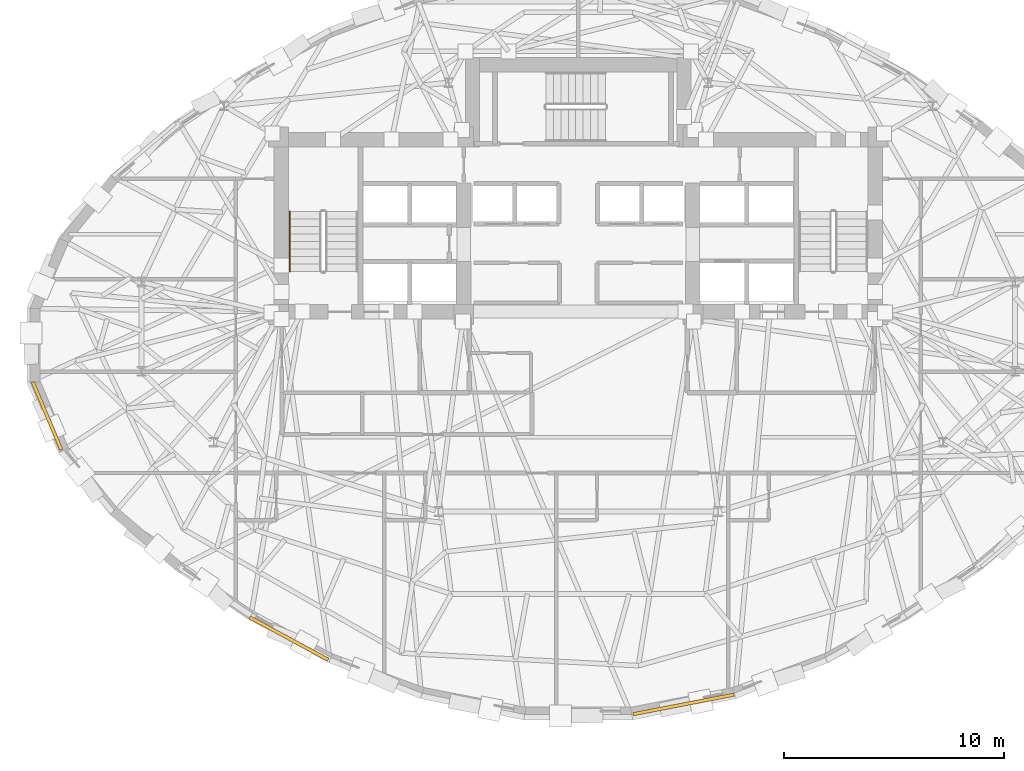
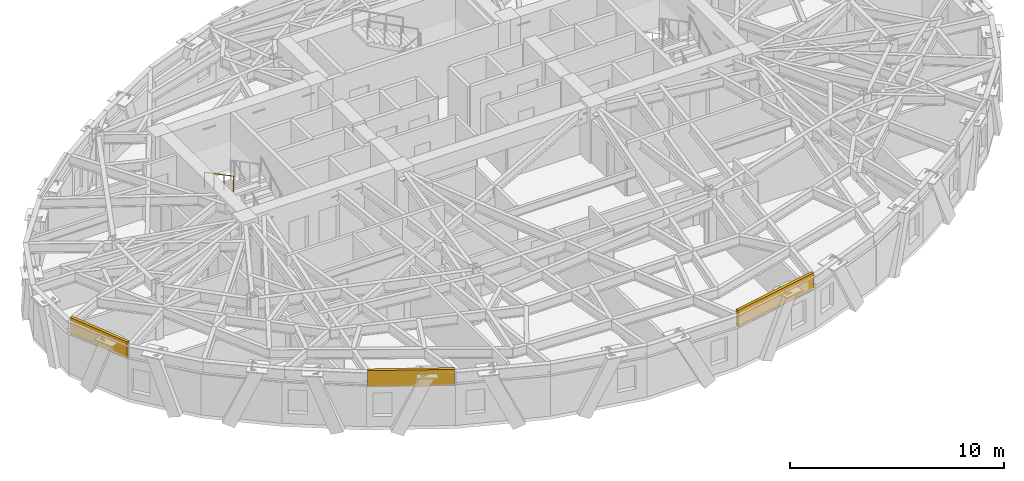
# One storey, part 11 of 14: 3 coverings, 1 railing.
"""IFC4 building model written with IfcOpenShell, lengths in metres."""

from ifc_helpers import new_model, si_unit, direction, frame, origin, origin_2d, place, context, subcontext, project, spatial, rectangle, circle, extrude, material, layer, layer_set, type_object, element, save


model = new_model("IFC4")

# Units and contexts
model_context = context("Model", 3, precision=1e-05, world=origin(), true_north=direction((0.0, 1.0)))
body_context = subcontext(model_context, "Body", "Model", "MODEL_VIEW")
ifc_project = project(units=[si_unit("LENGTHUNIT", "METRE"), si_unit("AREAUNIT", "SQUARE_METRE"), si_unit("VOLUMEUNIT", "CUBIC_METRE"), si_unit("PLANEANGLEUNIT", "RADIAN"), si_unit("MASSUNIT", "GRAM", prefix="KILO")], contexts=[model_context])

# Site, building, storey
site_placement = place(None, origin())
site = spatial("IfcSite", under=ifc_project, at=site_placement, CompositionType="ELEMENT")
building_placement = place(site_placement, origin())
building = spatial("IfcBuilding", under=site, at=building_placement, Name="Keldmark Tower", CompositionType="ELEMENT")
storey_placement = place(building_placement, frame((0.0, 0.0, 179.0)))
storey = spatial("IfcBuildingStorey", under=building, at=storey_placement, Name="L49", CompositionType="ELEMENT", Elevation=179.0)

# Coverings
ifc_material_1 = material(Name="Honed Kasota Buff Dolomitic Limestone", Category="masonry")
ifc_layer = layer(ifc_material_1, 0.074951171875)
ifc_layer_set = layer_set([ifc_layer], Name="Honed Kasota Buff Dolomitic Limestone")
covering_type = type_object("IfcCoveringType", Name="Kasota Buff Limestone Spandrel Cladding Band", PredefinedType="CLADDING", material=ifc_layer_set)
covering_1_placement = place(storey_placement, frame((-24.106689453125, -3.2080078125, 2.239013671875), z_axis=(0.0, 0.0, 1.0), x_axis=(0.388368166542, -0.921504295821, 0.0)))
element("IfcCovering", 1, at=covering_1_placement, inside=storey, type_object=covering_type, Name="L49 Kasota Limestone Spandrel Band 17", PredefinedType="CLADDING", context=body_context, shape_type="SweptSolid", body=[
    extrude(rectangle(XDim=3.330078125, YDim=0.14990234375, at=origin_2d()), origin(), (0.0, 0.0, 1.0), 0.94091796875),
])
covering_2_placement = place(storey_placement, frame((-13.136962890625, -13.30859375, 2.239013671875), z_axis=(0.0, 0.0, 1.0), x_axis=(0.879307998132, -0.47625355056, 0.0)))
element("IfcCovering", 2, at=covering_2_placement, inside=storey, type_object=covering_type, Name="L49 Kasota Limestone Spandrel Band 21", PredefinedType="CLADDING", context=body_context, shape_type="SweptSolid", body=[
    extrude(rectangle(XDim=4.05517578125, YDim=0.14990234375, at=origin_2d()), origin(), (0.0, 0.0, 1.0), 0.94091796875),
])
covering_3_placement = place(storey_placement, frame((4.7744140625, -16.302978515625, 2.239013671875), z_axis=(0.0, 0.0, 1.0), x_axis=(0.981756835596, 0.190140778796, 0.0)))
element("IfcCovering", 3, at=covering_3_placement, inside=storey, type_object=covering_type, Name="L49 Kasota Limestone Spandrel Band 25", PredefinedType="CLADDING", context=body_context, shape_type="SweptSolid", body=[
    extrude(rectangle(XDim=4.656982421875, YDim=0.14990234375, at=origin_2d()), origin(), (0.0, 0.0, 1.0), 0.94091796875),
])

# Railing
ifc_material_2 = material(Name="Stainless Steel AISI 316L", Category="steel")
railing_type = type_object("IfcRailingType", Name="Stainless Steel Stair Handrail 900 mm", PredefinedType="HANDRAIL", material=ifc_material_2)
railing_placement = place(storey_placement, frame((-13.10009765625, 6.070068359375, 1.77783203125)))
element("IfcRailing", 4, at=railing_placement, inside=storey, type_object=railing_type, Name="L49 ST1 stair handrail 2", PredefinedType="HANDRAIL", context=body_context, shape_type="SweptSolid", body=[
    extrude(circle(Radius=0.02392578125, at=origin_2d()), frame((0.0, 0.0, 0.8759765625), z_axis=(0.0, -0.886183135912, 0.463335137482), x_axis=(1.0, 0.0, 0.0)), (0.0, 0.0, 1.0), 3.0693359375),
    extrude(circle(Radius=0.02099609375, at=origin_2d()), origin(), (0.0, 0.0, 1.0), 0.851806640625),
    extrude(circle(Radius=0.02099609375, at=origin_2d()), frame((0.0, -0.90673828125, 0.47412109375)), (0.0, 0.0, 1.0), 0.851806640625),
    extrude(circle(Radius=0.02099609375, at=origin_2d()), frame((0.0, -1.813232421875, 0.947998046875)), (0.0, 0.0, 1.0), 0.851806640625),
    extrude(circle(Radius=0.02099609375, at=origin_2d()), frame((0.0, -2.719970703125, 1.422119140625)), (0.0, 0.0, 1.0), 0.851806640625),
])

save(model, "model.ifc")
